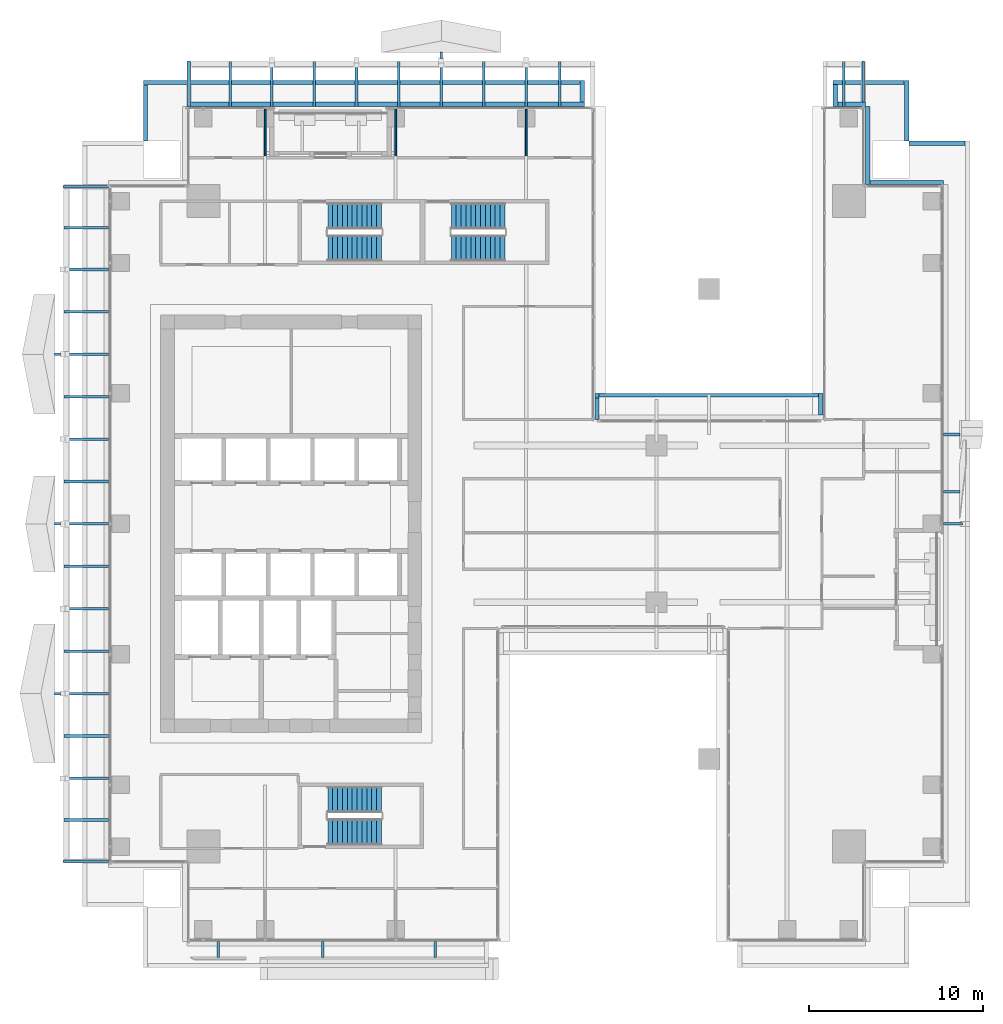
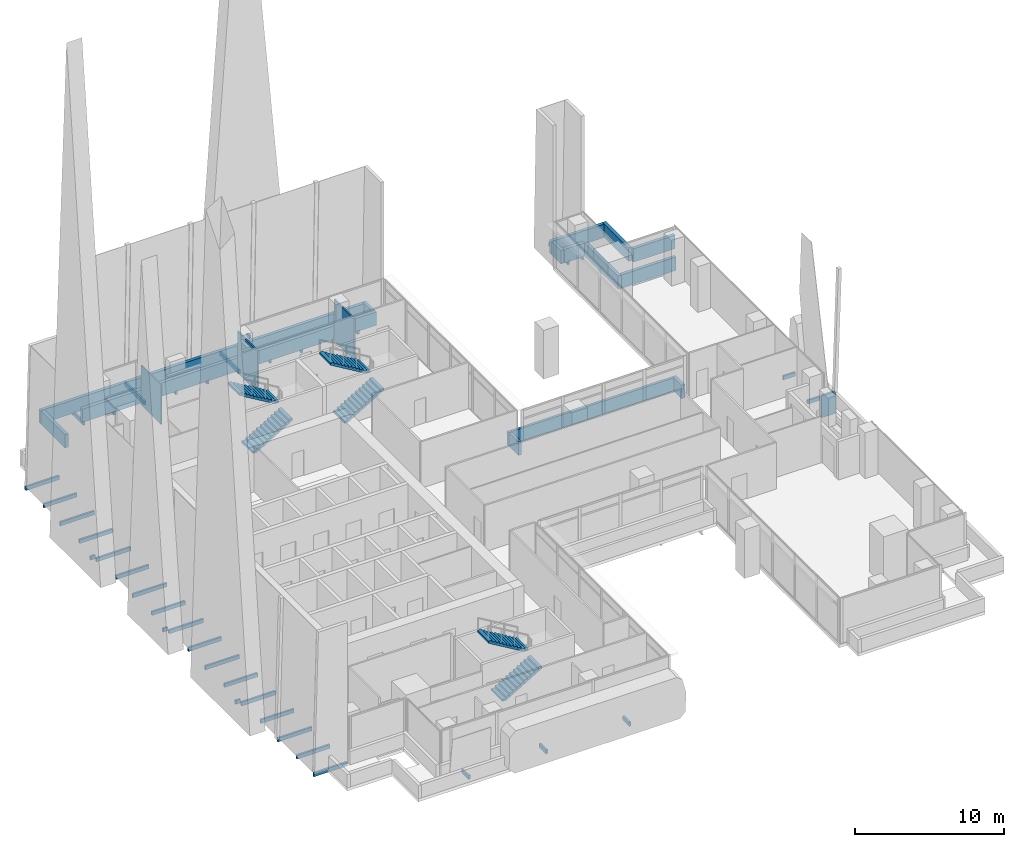
# One storey, part 37 of 43: 39 discrete accessories, 18 walls, 6 stair flights, 3 elements without a shape of their own.
"""IFC4 building model written with IfcOpenShell, lengths in metres."""

import ifcopenshell
import ifcopenshell.guid

model = None  # the IFC model being written
_history = None  # IfcOwnerHistory: only IFC2X3 demands one
_inside = {}  # id of a spatial element -> (the spatial element, [elements in it])
_under = {}  # id of a project, library or spatial element -> (it, [spatial elements below it])
_declared = {}  # id of a project -> (the project, [libraries it declares])
_typed = {}  # id of a type object -> (the type object, [elements of that type])
_made_of = {}  # id of a material, layer set ... -> (it, [elements and type objects made of it])


def new_model(schema):
    """Start an empty IFC model of exactly this schema.

    Asked for "IFC4X3", IfcOpenShell would pick the latest addendum, in which some entities
    have other attributes; the version numbers below select the first issue.
    IFC2X3 requires an IfcOwnerHistory on every rooted entity: one is made here for all.
    """
    global model, _history
    if schema == "IFC4X3":
        model = ifcopenshell.file(schema_version=(4, 3, 0, 0))
    else:
        model = ifcopenshell.file(schema=schema)
    _inside.clear()
    _under.clear()
    _declared.clear()
    _typed.clear()
    _made_of.clear()
    _history = None
    if model.schema == "IFC2X3":
        org = make("IfcOrganization", Name="unknown")
        user = make(
            "IfcPersonAndOrganization",
            ThePerson=make("IfcPerson", FamilyName="unknown"),
            TheOrganization=org,
        )
        app = make(
            "IfcApplication",
            ApplicationDeveloper=org,
            Version="unknown",
            ApplicationFullName="unknown",
            ApplicationIdentifier="unknown",
        )
        _history = make(
            "IfcOwnerHistory",
            OwningUser=user,
            OwningApplication=app,
            ChangeAction="ADDED",
            CreationDate=0,
        )
    return model


def make(cls, **values):
    """One entity of the class cls with the attributes given. An attribute that is None is left unset."""
    return model.create_entity(
        cls, **{name: value for name, value in values.items() if value is not None}
    )


def rooted(cls, **values):
    """An entity with a GlobalId (a new one), such as an element, a storey or a relation."""
    return make(cls, GlobalId=ifcopenshell.guid.new(), OwnerHistory=_history, **values)


def si_unit(unit_type, name, prefix=None):
    """IfcSIUnit, for example si_unit("LENGTHUNIT", "METRE", prefix="MILLI")."""
    return make("IfcSIUnit", UnitType=unit_type, Prefix=prefix, Name=name)


def assignment(units):
    """IfcUnitAssignment: the units of a project."""
    return None if units is None else make("IfcUnitAssignment", Units=units)


def point(xyz):
    """IfcCartesianPoint."""
    return None if xyz is None else make("IfcCartesianPoint", Coordinates=xyz)


def direction(xyz):
    """IfcDirection."""
    return None if xyz is None else make("IfcDirection", DirectionRatios=xyz)


def frame(location, z_axis=None, x_axis=None):
    """IfcAxis2Placement3D, a coordinate frame: its origin and axes. An axis left out is left unset."""
    return make(
        "IfcAxis2Placement3D",
        Location=point(location),
        Axis=direction(z_axis),
        RefDirection=direction(x_axis),
    )


def frame_2d(location, x_axis=None):
    """IfcAxis2Placement2D, a coordinate frame in the plane: its origin and x axis."""
    return make(
        "IfcAxis2Placement2D", Location=point(location), RefDirection=direction(x_axis)
    )


def origin():
    """The frame at (0, 0, 0) with its axes left unset."""
    return frame((0.0, 0.0, 0.0))


def origin_2d():
    """The frame at (0, 0) in the plane with its x axis left unset."""
    return frame_2d((0.0, 0.0))


def place(relative_to, where):
    """IfcLocalPlacement: puts the frame where relative to a parent placement (None: the world)."""
    return make(
        "IfcLocalPlacement", PlacementRelTo=relative_to, RelativePlacement=where
    )


def context(
    kind, dimensions, precision=None, world=None, true_north=None, identifier=None
):
    """IfcGeometricRepresentationContext, for example the 3D "Model" context."""
    return make(
        "IfcGeometricRepresentationContext",
        ContextIdentifier=identifier,
        ContextType=kind,
        CoordinateSpaceDimension=dimensions,
        Precision=precision,
        WorldCoordinateSystem=world,
        TrueNorth=true_north,
    )


def subcontext(parent, identifier, kind, view, scale=None):
    """IfcGeometricRepresentationSubContext, for example "Body" below "Model"."""
    return make(
        "IfcGeometricRepresentationSubContext",
        ContextIdentifier=identifier,
        ContextType=kind,
        ParentContext=parent,
        TargetScale=scale,
        TargetView=view,
    )


def project(units=None, contexts=None):
    """IfcProject with its units and contexts."""
    return rooted(
        "IfcProject",
        Name="project",
        RepresentationContexts=contexts,
        UnitsInContext=assignment(units),
    )


def spatial(cls, under=None, at=None, **own):
    """A site, building, storey or space (cls), placed at a placement, below another one or the project."""
    s = rooted(cls, ObjectPlacement=at, **own)
    if under is not None:
        _under.setdefault(under.id(), (under, []))[1].append(s)
    return s


def polyline(points):
    """IfcPolyline through the points."""
    return make("IfcPolyline", Points=[point(p) for p in points])


def profile(cls, at=None, kind="AREA", **sizes):
    """A parametric profile (cls). Its sizes go by their IFC names, for example OverallWidth=200.0."""
    return make(cls, ProfileType=kind, Position=at, **sizes)


def rectangle(**sizes):
    """IfcRectangleProfileDef."""
    return profile("IfcRectangleProfileDef", **sizes)


def outline(outer, holes=None, kind="AREA"):
    """IfcArbitraryClosedProfileDef: a profile drawn as a closed curve; with holes, ...WithVoids."""
    if holes is None:
        return make("IfcArbitraryClosedProfileDef", ProfileType=kind, OuterCurve=outer)
    return make(
        "IfcArbitraryProfileDefWithVoids",
        ProfileType=kind,
        OuterCurve=outer,
        InnerCurves=holes,
    )


def extrude(swept, where, along, depth):
    """IfcExtrudedAreaSolid: the profile swept, set in the frame where, extruded along a direction by depth."""
    return make(
        "IfcExtrudedAreaSolid",
        SweptArea=swept,
        Position=where,
        ExtrudedDirection=direction(along),
        Depth=depth,
    )


def shape(context_of_items, identifier, shape_type, items):
    """IfcShapeRepresentation: the items that make up one representation, for example the "Body"."""
    return make(
        "IfcShapeRepresentation",
        ContextOfItems=context_of_items,
        RepresentationIdentifier=identifier,
        RepresentationType=shape_type,
        Items=items,
    )


def source(mapping_origin, context_of_items, identifier, shape_type, items):
    """IfcRepresentationMap: a shape defined once, which mapped items show again and again."""
    return make(
        "IfcRepresentationMap",
        MappingOrigin=mapping_origin,
        MappedRepresentation=shape(context_of_items, identifier, shape_type, items),
    )


def transform(
    local_origin,
    x_axis=None,
    y_axis=None,
    z_axis=None,
    scale=None,
    scale2=None,
    scale3=None,
    uniform=True,
):
    """IfcCartesianTransformationOperator3D, or its non-uniform kind. x_axis, y_axis, z_axis: its Axis1, 2, 3."""
    if uniform:
        return make(
            "IfcCartesianTransformationOperator3D",
            Axis1=direction(x_axis),
            Axis2=direction(y_axis),
            LocalOrigin=point(local_origin),
            Scale=scale,
            Axis3=direction(z_axis),
        )
    return make(
        "IfcCartesianTransformationOperator3DnonUniform",
        Axis1=direction(x_axis),
        Axis2=direction(y_axis),
        LocalOrigin=point(local_origin),
        Scale=scale,
        Axis3=direction(z_axis),
        Scale2=scale2,
        Scale3=scale3,
    )


def mapped(mapping_source, mapping_target):
    """IfcMappedItem: shows the shape of a source again, moved by a transform."""
    return make(
        "IfcMappedItem", MappingSource=mapping_source, MappingTarget=mapping_target
    )


def material(Name=None, Category=None):
    """IfcMaterial."""
    return make("IfcMaterial", Name=Name, Category=Category)


def layer(
    of_material, thickness, ventilated=None, Name=None, Category=None, Priority=None
):
    """IfcMaterialLayer: one layer of a wall or slab, of a material (None: an air gap)."""
    return make(
        "IfcMaterialLayer",
        Material=of_material,
        LayerThickness=thickness,
        IsVentilated=ventilated,
        Name=Name,
        Category=Category,
        Priority=Priority,
    )


def layer_set(layers, Name=None):
    """IfcMaterialLayerSet."""
    return make("IfcMaterialLayerSet", MaterialLayers=layers, LayerSetName=Name)


def made_of(thing, what):
    """Note that an element or type object is made of a material, layer set ...; save() writes the relation."""
    if what is not None:
        _made_of.setdefault(what.id(), (what, []))[1].append(thing)
    return thing


def type_object(cls, material=None, **own):
    """A type object (cls), such as IfcWallType, which elements share."""
    return made_of(rooted(cls, **own), material)


def element(
    cls,
    number,
    at=None,
    inside=None,
    cuts=None,
    type_object=None,
    material=None,
    context=None,
    identifier="Body",
    shape_type=None,
    held_by="IfcProductDefinitionShape",
    body=None,
    shapes=None,
    **own,
):
    """One element of the class cls, such as IfcWall. Its Tag is "e" and its number.

    at: its placement. inside: the storey or other place that contains it. cuts: it is an
    opening in that element (IfcRelVoidsElement). A single representation is given by context,
    identifier, shape_type and body (its items); several are given by shapes. held_by: the class
    of the entity that holds the representations. save() writes the other relations.
    """
    e = rooted(cls, Tag="e%d" % number, ObjectPlacement=at, **own)
    if body is not None:
        shapes = [shape(context, identifier, shape_type, body)]
    if shapes is not None:
        e.Representation = make(held_by, Representations=shapes)
    if inside is not None:
        _inside.setdefault(inside.id(), (inside, []))[1].append(e)
    if cuts is not None:
        rooted(
            "IfcRelVoidsElement", RelatingBuildingElement=cuts, RelatedOpeningElement=e
        )
    if type_object is not None:
        _typed.setdefault(type_object.id(), (type_object, []))[1].append(e)
    return made_of(e, material)


def aggregate(whole, parts):
    """IfcRelAggregates: a whole, such as a stair, and the parts it consists of."""
    return rooted("IfcRelAggregates", RelatingObject=whole, RelatedObjects=parts)


def save(model, path):
    """Write the relations noted so far, then the file.

    IfcRelAggregates (storeys below a building ...), IfcRelContainedInSpatialStructure (elements
    in a storey), IfcRelDefinesByType, IfcRelAssociatesMaterial and IfcRelDeclares: one each for
    every whole, place, type object, material and project.
    """
    for whole, parts in _under.values():
        aggregate(whole, parts)
    for where, things in _inside.values():
        rooted(
            "IfcRelContainedInSpatialStructure",
            RelatedElements=things,
            RelatingStructure=where,
        )
    for kind, things in _typed.values():
        rooted("IfcRelDefinesByType", RelatedObjects=things, RelatingType=kind)
    for what, things in _made_of.values():
        rooted("IfcRelAssociatesMaterial", RelatedObjects=things, RelatingMaterial=what)
    for by, libraries in _declared.values():
        rooted("IfcRelDeclares", RelatingContext=by, RelatedDefinitions=libraries)
    model.write(path)


model = new_model("IFC4")

# Units and contexts
model_context = context("Model", 3, precision=1e-05, world=origin(), true_north=direction((0.0, 1.0)))
body_context = subcontext(model_context, "Body", "Model", "MODEL_VIEW")
ifc_project = project(units=[si_unit("LENGTHUNIT", "METRE"), si_unit("AREAUNIT", "SQUARE_METRE"), si_unit("VOLUMEUNIT", "CUBIC_METRE"), si_unit("PLANEANGLEUNIT", "RADIAN"), si_unit("MASSUNIT", "GRAM", prefix="KILO")], contexts=[model_context])

# Site, building, storey
site_placement = place(None, origin())
site = spatial("IfcSite", under=ifc_project, at=site_placement, CompositionType="ELEMENT")
building_placement = place(site_placement, origin())
building = spatial("IfcBuilding", under=site, at=building_placement, Name="Khomas Fold Tower", CompositionType="ELEMENT")
storey_placement = place(building_placement, frame((0.0, 0.0, 164.699951171875)))
storey = spatial("IfcBuildingStorey", under=building, at=storey_placement, Name="L35", CompositionType="ELEMENT", Elevation=164.699951171875)

# Walls
ifc_material_1 = material(Name="Concrete C40/50", Category="concrete")
ifc_layer_1 = layer(ifc_material_1, 0.199951171875)
ifc_layer_set_1 = layer_set([ifc_layer_1], Name="Concrete C40/50")
wall_type_1 = type_object("IfcWallType", Name="Garden step parapet GN-PP", PredefinedType="PARAPET", material=ifc_layer_set_1)
shared_shape_1 = source(origin(), body_context, "Body", "SweptSolid", [
    extrude(rectangle(XDim=12.60009765625, YDim=0.199951171875, at=frame_2d((6.300048828125, 0.0))), origin(), (0.0, 0.0, 1.0), 1.10009765625),
])
wall_1_placement = place(storey_placement, frame((31.199951171875, 34.39990234375, 0.0), z_axis=(0.0, 0.0, 1.0), x_axis=(1.0, 0.0, 0.0)))
element("IfcWall", 1, at=wall_1_placement, inside=storey, type_object=wall_type_1, Name="Garden step parapet", PredefinedType="SOLIDWALL", context=body_context, shape_type="MappedRepresentation", body=[
    mapped(shared_shape_1, transform((0.0, 0.0, 0.0))),
])
ifc_material_2 = material(Name="Concrete C40/50", Category="concrete")
ifc_layer_2 = layer(ifc_material_2, 0.25)
ifc_layer_set_2 = layer_set([ifc_layer_2], Name="Concrete C40/50")
wall_type_2 = type_object("IfcWallType", Name="Setback roof parapet 250", PredefinedType="PARAPET", material=ifc_layer_set_2)
shared_shape_2 = source(origin(), body_context, "Body", "SweptSolid", [
    extrude(rectangle(XDim=1.25, YDim=0.25, at=frame_2d((0.625, 0.0))), origin(), (0.0, 0.0, 1.0), 1.10009765625),
])
wall_2_placement = place(storey_placement, frame((44.77490234375, 52.25, 0.0), z_axis=(0.0, 0.0, 1.0), x_axis=(0.0, -1.0, 0.0)))
element("IfcWall", 2, at=wall_2_placement, inside=storey, type_object=wall_type_2, Name="Setback roof parapet", PredefinedType="SOLIDWALL", context=body_context, shape_type="MappedRepresentation", body=[
    mapped(shared_shape_2, transform((0.0, 0.0, 0.0))),
])
shared_shape_3 = source(origin(), body_context, "Body", "SweptSolid", [
    extrude(rectangle(XDim=1.580078125, YDim=0.25, at=frame_2d((0.7900390625, 0.0))), origin(), (0.0, 0.0, 1.0), 1.10009765625),
])
wall_3_placement = place(storey_placement, frame((44.919921875, 51.125, 0.0), z_axis=(0.0, 0.0, 1.0), x_axis=(1.0, 0.0, 0.0)))
element("IfcWall", 3, at=wall_3_placement, inside=storey, type_object=wall_type_2, Name="Setback roof parapet", PredefinedType="SOLIDWALL", context=body_context, shape_type="MappedRepresentation", body=[
    mapped(shared_shape_3, transform((0.0, 0.0, 0.0))),
])
shared_shape_4 = source(origin(), body_context, "Body", "SweptSolid", [
    extrude(rectangle(XDim=4.5, YDim=0.25, at=frame_2d((2.25, 0.0))), origin(), (0.0, 0.0, 1.0), 1.10009765625),
])
wall_4_placement = place(storey_placement, frame((46.625, 51.0, 0.0), z_axis=(0.0, 0.0, 1.0), x_axis=(0.0, -1.0, 0.0)))
element("IfcWall", 4, at=wall_4_placement, inside=storey, type_object=wall_type_2, Name="Setback roof parapet", PredefinedType="SOLIDWALL", context=body_context, shape_type="MappedRepresentation", body=[
    mapped(shared_shape_4, transform((0.0, 0.0, 0.0))),
])
shared_shape_5 = source(origin(), body_context, "Body", "SweptSolid", [
    extrude(rectangle(XDim=4.22998046875, YDim=0.25, at=frame_2d((2.114990234375, 0.0))), origin(), (0.0, 0.0, 1.0), 1.10009765625),
])
wall_5_placement = place(storey_placement, frame((46.77001953125, 46.625, 0.0), z_axis=(0.0, 0.0, 1.0), x_axis=(1.0, 0.0, 0.0)))
element("IfcWall", 5, at=wall_5_placement, inside=storey, type_object=wall_type_2, Name="Setback roof parapet", PredefinedType="SOLIDWALL", context=body_context, shape_type="MappedRepresentation", body=[
    mapped(shared_shape_5, transform((0.0, 0.0, 0.0))),
])
shared_shape_6 = source(origin(), body_context, "Body", "SweptSolid", [
    extrude(rectangle(XDim=1.22998046875, YDim=0.25, at=frame_2d((0.614990234375, 0.0))), origin(), (0.0, 0.0, 1.0), 1.10009765625),
])
for number, where, z_axis, x_axis, name in (
    (6, (31.074951171875, 34.22998046875, 0.0), (0.0, 0.0, 1.0), (0.0, -1.0, 0.0), "Setback roof parapet"),
    (7, (43.925048828125, 33.27001953125, 0.0), (0.0, 0.0, 1.0), (0.0, 1.0, 0.0), "Setback roof parapet"),
    (8, (30.22509765625, 51.27001953125, 0.0), (0.0, 0.0, 1.0), (0.0, 1.0, 0.0), "Setback roof parapet"),
):
    element("IfcWall", number, at=place(storey_placement, frame(where, z_axis=z_axis, x_axis=x_axis)), inside=storey, type_object=wall_type_2, Name=name, PredefinedType="SOLIDWALL", context=body_context, shape_type="MappedRepresentation", body=[
        mapped(shared_shape_6, transform((0.0, 0.0, 0.0))),
    ])
shared_shape_7 = source(origin(), body_context, "Body", "SweptSolid", [
    extrude(rectangle(XDim=3.22998046875, YDim=0.25, at=frame_2d((1.614990234375, 0.0))), origin(), (0.0, 0.0, 1.0), 1.10009765625),
])
for number, where, z_axis, x_axis, name in (
    (9, (52.22998046875, 48.875, 0.0), (0.0, 0.0, 1.0), (-1.0, 0.0, 0.0), "Setback roof parapet"),
    (10, (5.125, 52.22998046875, 0.0), (0.0, 0.0, 1.0), (0.0, -1.0, 0.0), "Setback roof parapet"),
):
    element("IfcWall", number, at=place(storey_placement, frame(where, z_axis=z_axis, x_axis=x_axis)), inside=storey, type_object=wall_type_2, Name=name, PredefinedType="SOLIDWALL", context=body_context, shape_type="MappedRepresentation", body=[
        mapped(shared_shape_7, transform((0.0, 0.0, 0.0))),
    ])
shared_shape_8 = source(origin(), body_context, "Body", "SweptSolid", [
    extrude(rectangle(XDim=3.5, YDim=0.25, at=frame_2d((1.75, 0.0))), origin(), (0.0, 0.0, 1.0), 1.10009765625),
])
wall_6_placement = place(storey_placement, frame((48.875, 49.0, 0.0), z_axis=(0.0, 0.0, 1.0), x_axis=(0.0, 1.0, 0.0)))
element("IfcWall", 11, at=wall_6_placement, inside=storey, type_object=wall_type_2, Name="Setback roof parapet", PredefinedType="SOLIDWALL", context=body_context, shape_type="MappedRepresentation", body=[
    mapped(shared_shape_8, transform((0.0, 0.0, 0.0))),
])
shared_shape_9 = source(origin(), body_context, "Body", "SweptSolid", [
    extrude(rectangle(XDim=4.080078125, YDim=0.25, at=frame_2d((2.0400390625, 0.0))), origin(), (0.0, 0.0, 1.0), 1.10009765625),
])
wall_7_placement = place(storey_placement, frame((48.72998046875, 52.375, 0.0), z_axis=(0.0, 0.0, 1.0), x_axis=(-1.0, 0.0, 0.0)))
element("IfcWall", 12, at=wall_7_placement, inside=storey, type_object=wall_type_2, Name="Setback roof parapet", PredefinedType="SOLIDWALL", context=body_context, shape_type="MappedRepresentation", body=[
    mapped(shared_shape_9, transform((0.0, 0.0, 0.0))),
])
shared_shape_10 = source(origin(), body_context, "Body", "SweptSolid", [
    extrude(rectangle(XDim=0.22998046875, YDim=0.25, at=frame_2d((0.114990234375, 0.0))), origin(), (0.0, 0.0, 1.0), 1.10009765625),
])
wall_8_placement = place(storey_placement, frame((31.179931640625, 34.375, 0.0), z_axis=(0.0, 0.0, 1.0), x_axis=(-1.0, 0.0, 0.0)))
element("IfcWall", 13, at=wall_8_placement, inside=storey, type_object=wall_type_2, Name="Setback roof parapet", PredefinedType="SOLIDWALL", context=body_context, shape_type="MappedRepresentation", body=[
    mapped(shared_shape_10, transform((0.0, 0.0, 0.0))),
])
shared_shape_11 = source(origin(), body_context, "Body", "SweptSolid", [
    extrude(rectangle(XDim=22.85009765625, YDim=0.25, at=frame_2d((11.425048828125, 0.0))), origin(), (0.0, 0.0, 1.0), 1.10009765625),
])
wall_9_placement = place(storey_placement, frame((7.5, 51.125, 0.0), z_axis=(0.0, 0.0, 1.0), x_axis=(1.0, 0.0, 0.0)))
element("IfcWall", 14, at=wall_9_placement, inside=storey, type_object=wall_type_2, Name="Setback roof parapet", PredefinedType="SOLIDWALL", context=body_context, shape_type="MappedRepresentation", body=[
    mapped(shared_shape_11, transform((0.0, 0.0, 0.0))),
])
shared_shape_12 = source(origin(), body_context, "Body", "SweptSolid", [
    extrude(rectangle(XDim=25.080078125, YDim=0.25, at=frame_2d((12.5400390625, 0.0))), origin(), (0.0, 0.0, 1.0), 1.10009765625),
])
wall_10_placement = place(storey_placement, frame((30.080078125, 52.375, 0.0), z_axis=(0.0, 0.0, 1.0), x_axis=(-1.0, 0.0, 0.0)))
element("IfcWall", 15, at=wall_10_placement, inside=storey, type_object=wall_type_2, Name="Setback roof parapet", PredefinedType="SOLIDWALL", context=body_context, shape_type="MappedRepresentation", body=[
    mapped(shared_shape_12, transform((0.0, 0.0, 0.0))),
])
ifc_material_3 = material(Name="Plasterboard partition")
ifc_layer_3 = layer(ifc_material_3, 0.10009765625)
ifc_layer_set_3 = layer_set([ifc_layer_3], Name="Plasterboard partition")
wall_type_3 = type_object("IfcWallType", Name="Partition PW1 100", PredefinedType="PARTITIONING", material=ifc_layer_set_3)
shared_shape_13 = source(origin(), body_context, "Body", "SweptSolid", [
    extrude(rectangle(XDim=2.7001953125, YDim=0.10009765625, at=frame_2d((1.35009765625, 0.0))), origin(), (0.0, 0.0, 1.0), 3.25),
])
wall_11_placement = place(storey_placement, frame((12.0, 48.14990234375, 0.0), z_axis=(0.0, 0.0, 1.0), x_axis=(0.0, 1.0, 0.0)))
element("IfcWall", 16, at=wall_11_placement, inside=storey, type_object=wall_type_3, Name="Partition", PredefinedType="PARTITIONING", context=body_context, shape_type="MappedRepresentation", body=[
    mapped(shared_shape_13, transform((0.0, 0.0, 0.0))),
])
shared_shape_14 = source(origin(), body_context, "Body", "SweptSolid", [
    extrude(rectangle(XDim=2.7001953125, YDim=0.10009765625, at=frame_2d((1.35009765625, 0.0))), origin(), (0.0, 0.0, 1.0), 3.420166015625),
])
for number, where, z_axis, x_axis, name in (
    (17, (19.5, 48.14990234375, 0.0), (0.0, 0.0, 1.0), (0.0, 1.0, 0.0), "Partition"),
    (18, (27.0, 48.14990234375, 0.0), (0.0, 0.0, 1.0), (0.0, 1.0, 0.0), "Partition"),
):
    element("IfcWall", number, at=place(storey_placement, frame(where, z_axis=z_axis, x_axis=x_axis)), inside=storey, type_object=wall_type_3, Name=name, PredefinedType="PARTITIONING", context=body_context, shape_type="MappedRepresentation", body=[
        mapped(shared_shape_14, transform((0.0, 0.0, 0.0))),
    ])

# Stair, stair flights
ifc_material_4 = material(Name="Concrete C40/50", Category="concrete")
stair_type_1 = type_object("IfcStairType", Name="Stair ST1", PredefinedType="HALF_TURN_STAIR", material=ifc_material_4)
stair_1_placement = place(storey_placement, origin())
stair_1 = element("IfcStair", 19, at=stair_1_placement, inside=storey, type_object=stair_type_1, Name="L35 ST1", PredefinedType="HALF_TURN_STAIR")
ifc_material_5 = material(Name="Concrete C40/50", Category="concrete")
stair_flight_type_1 = type_object("IfcStairFlightType", Name="Stair flight 1500 ST1", PredefinedType="STRAIGHT", material=ifc_material_5)
shared_shape_15 = source(origin(), body_context, "Body", "SweptSolid", [
    extrude(outline(polyline([(0.0, 0.0), (0.0, 0.012939453125), (0.0, 0.025634765625), (0.0, 0.03857421875), (0.0, 0.05126953125), (0.0, 0.064208984375), (0.0, 0.076904296875), (0.0, 0.08984375), (0.0, 0.1025390625), (0.0, 0.115478515625), (0.0, 0.128173828125), (0.0, 0.14111328125), (0.0, 0.15380859375), (0.0, 0.166748046875), (0.280029296875, 0.166748046875), (0.280029296875, 0.333251953125), (0.56005859375, 0.333251953125), (0.56005859375, 0.5), (0.840087890625, 0.5), (0.840087890625, 0.666748046875), (1.1201171875, 0.666748046875), (1.1201171875, 0.833251953125), (1.39990234375, 0.833251953125), (1.39990234375, 1.0), (1.679931640625, 1.0), (1.679931640625, 1.166748046875), (1.9599609375, 1.166748046875), (1.9599609375, 1.333251953125), (2.239990234375, 1.333251953125), (2.239990234375, 1.5), (2.52001953125, 1.5), (2.52001953125, 1.666748046875), (2.800048828125, 1.666748046875), (2.800048828125, 1.833251953125), (3.080078125, 1.833251953125), (3.080078125, 2.0), (3.080078125, 1.973876953125), (3.080078125, 1.947509765625), (3.080078125, 1.92138671875), (3.080078125, 1.89501953125), (3.080078125, 1.868896484375), (3.080078125, 1.842529296875), (3.080078125, 1.81640625), (3.080078125, 1.7900390625), (3.080078125, 1.763916015625), (3.080078125, 1.737548828125), (3.080078125, 1.71142578125), (3.080078125, 1.68505859375), (3.080078125, 1.658935546875), (0.29296875, 0.0), (0.0, 0.0)])), frame((0.0, 0.75, 0.0), z_axis=(0.0, -1.0, 0.0), x_axis=(1.0, 0.0, 0.0)), (0.0, 0.0, 1.0), 1.5),
])
stair_flight_1_placement = place(storey_placement, frame((15.60009765625, 42.85009765625, 0.0), z_axis=(0.0, 0.0, 1.0), x_axis=(1.0, 0.0, 0.0)))
stair_flight_1 = element("IfcStairFlight", 20, at=stair_flight_1_placement, type_object=stair_flight_type_1, Name="ST1 flight 1", NumberOfRisers=12, NumberOfTreads=11, PredefinedType="STRAIGHT", RiserHeight=0.166666667, TreadLength=0.28, context=body_context, shape_type="MappedRepresentation", body=[
    mapped(shared_shape_15, transform((0.0, 0.0, 0.0))),
])
stair_flight_2_placement = place(storey_placement, frame((18.679931640625, 44.699951171875, 2.0), z_axis=(0.0, 0.0, 1.0), x_axis=(-1.0, 0.0, 0.0)))
stair_flight_2 = element("IfcStairFlight", 21, at=stair_flight_2_placement, type_object=stair_flight_type_1, Name="ST1 flight 2", NumberOfRisers=12, NumberOfTreads=11, PredefinedType="STRAIGHT", RiserHeight=0.166666667, TreadLength=0.28, context=body_context, shape_type="MappedRepresentation", body=[
    mapped(shared_shape_15, transform((0.0, 0.0, 0.0))),
])
aggregate(stair_1, [stair_flight_1, stair_flight_2])

ifc_material_6 = material(Name="Concrete C40/50", Category="concrete")
stair_type_2 = type_object("IfcStairType", Name="Stair ST2", PredefinedType="HALF_TURN_STAIR", material=ifc_material_6)
stair_2_placement = place(storey_placement, origin())
stair_2 = element("IfcStair", 22, at=stair_2_placement, inside=storey, type_object=stair_type_2, Name="L35 ST2", PredefinedType="HALF_TURN_STAIR")
ifc_material_7 = material(Name="Concrete C40/50", Category="concrete")
stair_flight_type_2 = type_object("IfcStairFlightType", Name="Stair flight 1500 ST2", PredefinedType="STRAIGHT", material=ifc_material_7)
stair_flight_3_placement = place(storey_placement, frame((15.60009765625, 9.300048828125, 0.0), z_axis=(0.0, 0.0, 1.0), x_axis=(1.0, 0.0, 0.0)))
stair_flight_3 = element("IfcStairFlight", 23, at=stair_flight_3_placement, type_object=stair_flight_type_2, Name="ST2 flight 1", NumberOfRisers=12, NumberOfTreads=11, PredefinedType="STRAIGHT", RiserHeight=0.166666667, TreadLength=0.28, context=body_context, shape_type="MappedRepresentation", body=[
    mapped(shared_shape_15, transform((0.0, 0.0, 0.0))),
])
stair_flight_4_placement = place(storey_placement, frame((18.679931640625, 11.14990234375, 2.0), z_axis=(0.0, 0.0, 1.0), x_axis=(-1.0, 0.0, 0.0)))
stair_flight_4 = element("IfcStairFlight", 24, at=stair_flight_4_placement, type_object=stair_flight_type_2, Name="ST2 flight 2", NumberOfRisers=12, NumberOfTreads=11, PredefinedType="STRAIGHT", RiserHeight=0.166666667, TreadLength=0.28, context=body_context, shape_type="MappedRepresentation", body=[
    mapped(shared_shape_15, transform((0.0, 0.0, 0.0))),
])
aggregate(stair_2, [stair_flight_3, stair_flight_4])

ifc_material_8 = material(Name="Concrete C40/50", Category="concrete")
stair_type_3 = type_object("IfcStairType", Name="Stair ST3", PredefinedType="HALF_TURN_STAIR", material=ifc_material_8)
stair_3_placement = place(storey_placement, origin())
stair_3 = element("IfcStair", 25, at=stair_3_placement, inside=storey, type_object=stair_type_3, Name="L35 ST3", PredefinedType="HALF_TURN_STAIR")
ifc_material_9 = material(Name="Concrete C40/50", Category="concrete")
stair_flight_type_3 = type_object("IfcStairFlightType", Name="Stair flight 1500 ST3", PredefinedType="STRAIGHT", material=ifc_material_9)
stair_flight_5_placement = place(storey_placement, frame((22.699951171875, 42.85009765625, 0.0), z_axis=(0.0, 0.0, 1.0), x_axis=(1.0, 0.0, 0.0)))
stair_flight_5 = element("IfcStairFlight", 26, at=stair_flight_5_placement, type_object=stair_flight_type_3, Name="ST3 flight 1", NumberOfRisers=12, NumberOfTreads=11, PredefinedType="STRAIGHT", RiserHeight=0.166666667, TreadLength=0.28, context=body_context, shape_type="MappedRepresentation", body=[
    mapped(shared_shape_15, transform((0.0, 0.0, 0.0))),
])
stair_flight_6_placement = place(storey_placement, frame((25.780029296875, 44.699951171875, 2.0), z_axis=(0.0, 0.0, 1.0), x_axis=(-1.0, 0.0, 0.0)))
stair_flight_6 = element("IfcStairFlight", 27, at=stair_flight_6_placement, type_object=stair_flight_type_3, Name="ST3 flight 2", NumberOfRisers=12, NumberOfTreads=11, PredefinedType="STRAIGHT", RiserHeight=0.166666667, TreadLength=0.28, context=body_context, shape_type="MappedRepresentation", body=[
    mapped(shared_shape_15, transform((0.0, 0.0, 0.0))),
])
aggregate(stair_3, [stair_flight_5, stair_flight_6])

# Discrete accessories
ifc_material_10 = material(Name="Stainless steel", Category="steel")
discrete_accessory_type = type_object("IfcDiscreteAccessoryType", Name="SK-Stainless steel stone bracket", PredefinedType="BRACKET", material=ifc_material_10)
shared_shape_16 = source(origin(), body_context, "Body", "SweptSolid", [
    extrude(rectangle(XDim=0.926025390625, YDim=0.14990234375, at=origin_2d()), origin(), (0.0, 0.0, 1.0), 0.31005859375),
])
for number, where, z_axis, x_axis, name in (
    (28, (15.31494140625, 2.537109375, -0.25), (0.0, 0.0, 1.0), (0.0, -1.0, 0.0), "Stone bracket L35 SS03-1-1"),
    (29, (21.784912109375, 2.537109375, -0.25), (0.0, 0.0, 1.0), (0.0, -1.0, 0.0), "Stone bracket L35 SS03-1-2"),
    (30, (51.462890625, 32.1396484375, -0.25), (0.0, 0.0, 1.0), (1.0, 0.0, 0.0), "Stone bracket L35 ES06-1-1"),
    (31, (9.30029296875, 2.537109375, -0.25), (0.0, 0.0, 1.0), (0.0, -1.0, 0.0), "Stone bracket L35 SG099-1-1"),
    (32, (51.462890625, 28.8544921875, -0.25), (0.0, 0.0, 1.0), (1.0, 0.0, 0.0), "Stone bracket L35 EG103-1-1"),
):
    element("IfcDiscreteAccessory", number, at=place(storey_placement, frame(where, z_axis=z_axis, x_axis=x_axis)), inside=storey, type_object=discrete_accessory_type, Name=name, PredefinedType="BRACKET", context=body_context, shape_type="MappedRepresentation", body=[
        mapped(shared_shape_16, transform((0.0, 0.0, 0.0))),
    ])
shared_shape_17 = source(origin(), body_context, "Body", "SweptSolid", [
    extrude(rectangle(XDim=1.06787109375, YDim=0.14990234375, at=origin_2d()), origin(), (0.0, 0.0, 1.0), 1.81005859375),
])
discrete_accessory_placement = place(storey_placement, frame((51.533935546875, 27.00830078125, -0.25), z_axis=(0.0, 0.0, 1.0), x_axis=(1.0, 0.0, 0.0)))
element("IfcDiscreteAccessory", 33, at=discrete_accessory_placement, inside=storey, type_object=discrete_accessory_type, Name="Stone bracket L35 EM103-2-1", PredefinedType="BRACKET", context=body_context, shape_type="MappedRepresentation", body=[
    mapped(shared_shape_17, transform((0.0, 0.0, 0.0))),
])
shared_shape_18 = source(origin(), body_context, "Body", "SweptSolid", [
    extrude(rectangle(XDim=2.5693359375, YDim=0.14990234375, at=origin_2d()), origin(), (0.0, 0.0, 1.0), 0.31005859375),
])
for number, where, z_axis, x_axis, name in (
    (34, (9.987548828125, 52.28466796875, -0.25), (0.0, 0.0, 1.0), (0.0, 1.0, 0.0), "Stone bracket L35 PLNG01"),
    (35, (14.8125, 52.28466796875, -0.25), (0.0, 0.0, 1.0), (0.0, 1.0, 0.0), "Stone bracket L35 PLNG03"),
    (36, (19.6875, 52.28466796875, -0.25), (0.0, 0.0, 1.0), (0.0, 1.0, 0.0), "Stone bracket L35 PLNG05"),
    (37, (24.5625, 52.28466796875, -0.25), (0.0, 0.0, 1.0), (0.0, 1.0, 0.0), "Stone bracket L35 PLNG07"),
    (38, (28.93505859375, 52.28466796875, -0.25), (0.0, 0.0, 1.0), (0.0, 1.0, 0.0), "Stone bracket L35 PLNG09"),
    (39, (45.264892578125, 52.28466796875, -0.25), (0.0, 0.0, 1.0), (0.0, 1.0, 0.0), "Stone bracket L35 PLNG10"),
    (40, (1.71533203125, 9.987548828125, -0.25), (0.0, 0.0, 1.0), (-1.0, 0.0, 0.0), "Stone bracket L35 PLWG01"),
    (41, (1.71533203125, 14.8125, -0.25), (0.0, 0.0, 1.0), (-1.0, 0.0, 0.0), "Stone bracket L35 PLWG03"),
    (42, (1.71533203125, 19.6875, -0.25), (0.0, 0.0, 1.0), (-1.0, 0.0, 0.0), "Stone bracket L35 PLWG05"),
    (43, (1.71533203125, 24.5625, -0.25), (0.0, 0.0, 1.0), (-1.0, 0.0, 0.0), "Stone bracket L35 PLWG07"),
    (44, (1.71533203125, 29.4375, -0.25), (0.0, 0.0, 1.0), (-1.0, 0.0, 0.0), "Stone bracket L35 PLWG09"),
    (45, (1.71533203125, 34.3125, -0.25), (0.0, 0.0, 1.0), (-1.0, 0.0, 0.0), "Stone bracket L35 PLWG11"),
    (46, (1.71533203125, 39.1875, -0.25), (0.0, 0.0, 1.0), (-1.0, 0.0, 0.0), "Stone bracket L35 PLWG13"),
    (47, (1.71533203125, 44.012451171875, -0.25), (0.0, 0.0, 1.0), (-1.0, 0.0, 0.0), "Stone bracket L35 PLWG15"),
):
    element("IfcDiscreteAccessory", number, at=place(storey_placement, frame(where, z_axis=z_axis, x_axis=x_axis)), inside=storey, type_object=discrete_accessory_type, Name=name, PredefinedType="BRACKET", context=body_context, shape_type="MappedRepresentation", body=[
        mapped(shared_shape_18, transform((0.0, 0.0, 0.0))),
    ])
shared_shape_19 = source(origin(), body_context, "Body", "SweptSolid", [
    extrude(rectangle(XDim=2.664306640625, YDim=0.14990234375, at=origin_2d()), origin(), (0.0, 0.0, 1.0), 0.31005859375),
])
for number, where, z_axis, x_axis, name in (
    (48, (12.375, 52.33203125, -0.25), (0.0, 0.0, 1.0), (0.0, 1.0, 0.0), "Stone bracket L35 PLNM02"),
    (49, (17.25, 52.33203125, -0.25), (0.0, 0.0, 1.0), (0.0, 1.0, 0.0), "Stone bracket L35 PLNM04"),
    (50, (22.125, 52.33203125, -0.25), (0.0, 0.0, 1.0), (0.0, 1.0, 0.0), "Stone bracket L35 PLNM06"),
    (51, (27.0, 52.33203125, -0.25), (0.0, 0.0, 1.0), (0.0, 1.0, 0.0), "Stone bracket L35 PLNM08"),
    (52, (1.66796875, 12.375, -0.25), (0.0, 0.0, 1.0), (-1.0, 0.0, 0.0), "Stone bracket L35 PLWM02"),
    (53, (1.66796875, 17.25, -0.25), (0.0, 0.0, 1.0), (-1.0, 0.0, 0.0), "Stone bracket L35 PLWM04"),
    (54, (1.66796875, 22.125, -0.25), (0.0, 0.0, 1.0), (-1.0, 0.0, 0.0), "Stone bracket L35 PLWM06"),
    (55, (1.66796875, 27.0, -0.25), (0.0, 0.0, 1.0), (-1.0, 0.0, 0.0), "Stone bracket L35 PLWM08"),
    (56, (1.66796875, 31.875, -0.25), (0.0, 0.0, 1.0), (-1.0, 0.0, 0.0), "Stone bracket L35 PLWM10"),
    (57, (1.66796875, 36.75, -0.25), (0.0, 0.0, 1.0), (-1.0, 0.0, 0.0), "Stone bracket L35 PLWM12"),
    (58, (1.66796875, 41.625, -0.25), (0.0, 0.0, 1.0), (-1.0, 0.0, 0.0), "Stone bracket L35 PLWM14"),
):
    element("IfcDiscreteAccessory", number, at=place(storey_placement, frame(where, z_axis=z_axis, x_axis=x_axis)), inside=storey, type_object=discrete_accessory_type, Name=name, PredefinedType="BRACKET", context=body_context, shape_type="MappedRepresentation", body=[
        mapped(shared_shape_19, transform((0.0, 0.0, 0.0))),
    ])
shared_shape_20 = source(origin(), body_context, "Body", "SweptSolid", [
    extrude(rectangle(XDim=2.609375, YDim=0.14990234375, at=origin_2d()), origin(), (0.0, 0.0, 1.0), 0.31005859375),
])
for number, where, z_axis, x_axis, name in (
    (59, (7.625, 52.3046875, -0.25), (0.0, 0.0, 1.0), (0.0, 1.0, 0.0), "Stone bracket L35 PLNR1"),
    (60, (46.375, 52.3046875, -0.25), (0.0, 0.0, 1.0), (0.0, 1.0, 0.0), "Stone bracket L35 PLNR2"),
    (61, (1.6953125, 7.625, -0.25), (0.0, 0.0, 1.0), (-1.0, 0.0, 0.0), "Stone bracket L35 PLWR1"),
    (62, (1.6953125, 46.375, -0.25), (0.0, 0.0, 1.0), (-1.0, 0.0, 0.0), "Stone bracket L35 PLWR2"),
):
    element("IfcDiscreteAccessory", number, at=place(storey_placement, frame(where, z_axis=z_axis, x_axis=x_axis)), inside=storey, type_object=discrete_accessory_type, Name=name, PredefinedType="BRACKET", context=body_context, shape_type="MappedRepresentation", body=[
        mapped(shared_shape_20, transform((0.0, 0.0, 0.0))),
    ])
shared_shape_21 = source(origin(), body_context, "Body", "SweptSolid", [
    extrude(rectangle(XDim=0.360107421875, YDim=0.14990234375, at=origin_2d()), origin(), (0.0, 0.0, 1.0), 0.300048828125),
])
for number, where, z_axis, x_axis, name in (
    (63, (22.125, 53.9384765625, 0.0498046875), (0.0, 0.0, 1.0), (0.0, 1.0, 0.0), "Stone bracket L35 blade NZ3-1"),
    (64, (0.0615234375, 17.25, 0.0498046875), (0.0, 0.0, 1.0), (-1.0, 0.0, 0.0), "Stone bracket L35 blade WZ3-1"),
    (65, (0.0615234375, 27.0, 0.0498046875), (0.0, 0.0, 1.0), (-1.0, 0.0, 0.0), "Stone bracket L35 blade WZ3-2"),
    (66, (0.0615234375, 36.75, 0.0498046875), (0.0, 0.0, 1.0), (-1.0, 0.0, 0.0), "Stone bracket L35 blade WZ3-3"),
):
    element("IfcDiscreteAccessory", number, at=place(storey_placement, frame(where, z_axis=z_axis, x_axis=x_axis)), inside=storey, type_object=discrete_accessory_type, Name=name, PredefinedType="BRACKET", context=body_context, shape_type="MappedRepresentation", body=[
        mapped(shared_shape_21, transform((0.0, 0.0, 0.0))),
    ])

save(model, "model.ifc")
